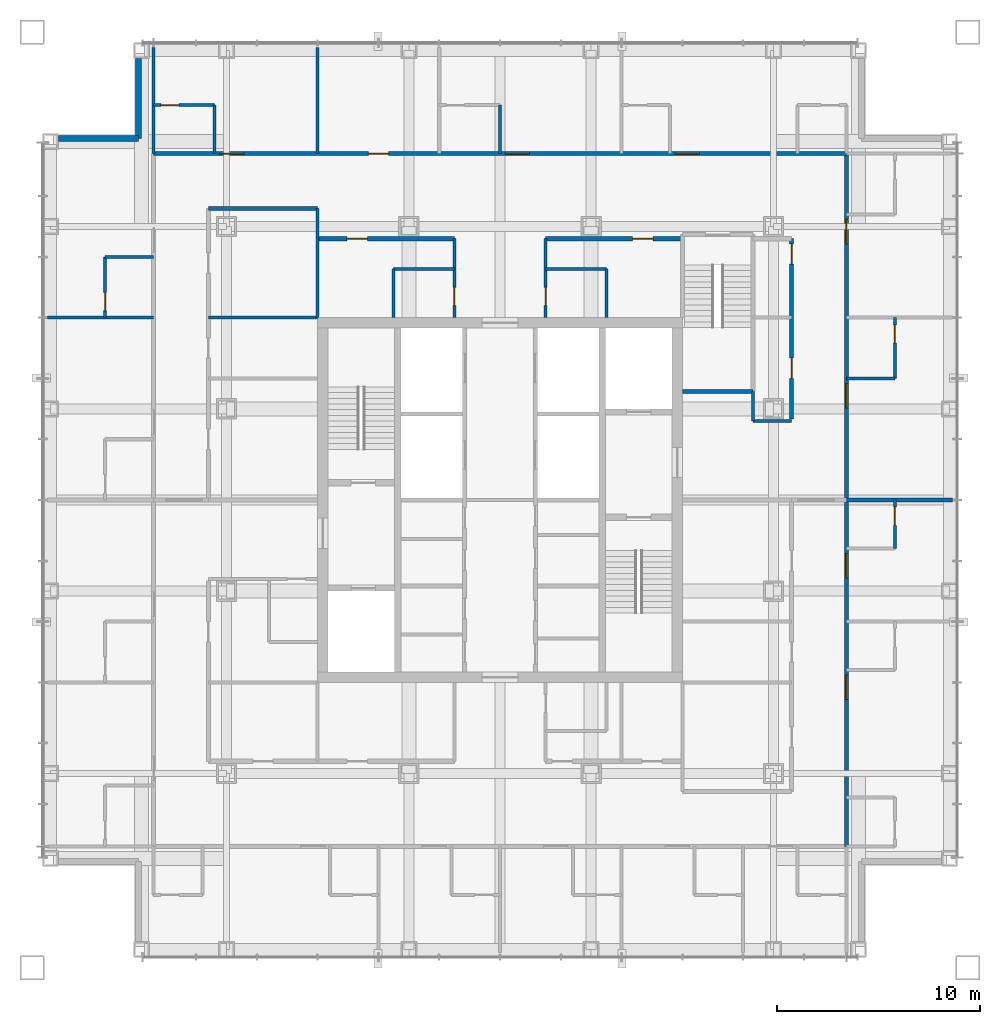
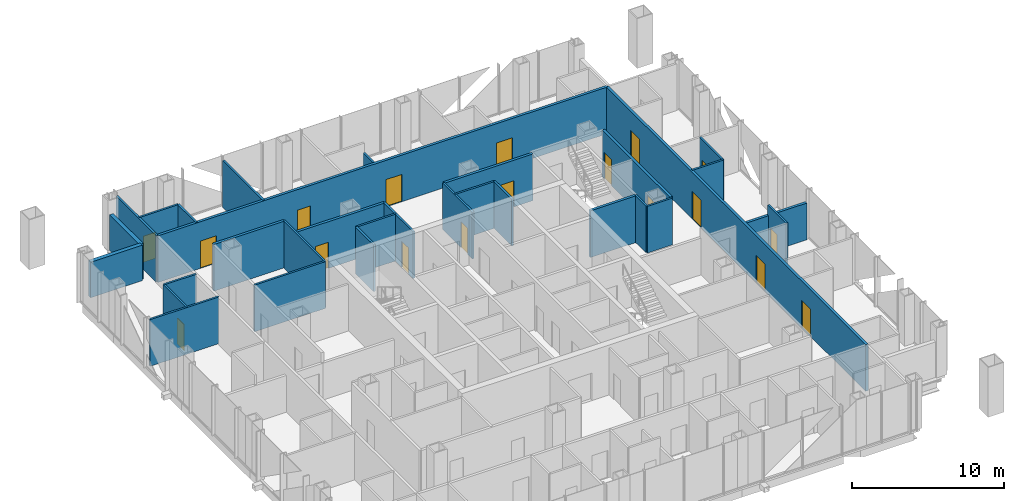
# One storey, part 14 of 16: 31 walls, 18 doors, 18 openings.
"""IFC4 building model written with IfcOpenShell, lengths in metres."""

from ifc_helpers import new_model, si_unit, direction, frame, frame_2d, origin, place, context, subcontext, project, spatial, rectangle, extrude, material, layer, layer_set, type_object, element, fill, save


model = new_model("IFC4")

# Units and contexts
model_context = context("Model", 3, precision=1e-05, world=origin(), true_north=direction((0.0, 1.0)))
body_context = subcontext(model_context, "Body", "Model", "MODEL_VIEW")
ifc_project = project(units=[si_unit("LENGTHUNIT", "METRE"), si_unit("AREAUNIT", "SQUARE_METRE"), si_unit("VOLUMEUNIT", "CUBIC_METRE"), si_unit("PLANEANGLEUNIT", "RADIAN"), si_unit("MASSUNIT", "GRAM", prefix="KILO")], contexts=[model_context])

# Site, building, storey
site_placement = place(None, origin())
site = spatial("IfcSite", under=ifc_project, at=site_placement, CompositionType="ELEMENT")
building_placement = place(site_placement, origin())
building = spatial("IfcBuilding", under=site, at=building_placement, Name="Malebo Sky Hospital", CompositionType="ELEMENT")
storey_placement = place(building_placement, frame((0.0, 0.0, 197.0)))
storey = spatial("IfcBuildingStorey", under=building, at=storey_placement, Name="L47", CompositionType="ELEMENT", Elevation=197.0)

# Wall, openings, doors
ifc_material_1 = material(Name="Gypsum board on steel studs", Category="steel")
ifc_layer_1 = layer(ifc_material_1, 0.199951171875)
ifc_layer_set_1 = layer_set([ifc_layer_1], Name="CORRIDOR WALL 200")
wall_type_1 = type_object("IfcWallType", Name="CORRIDOR WALL 200", PredefinedType="PARTITIONING", material=ifc_layer_set_1)
wall_1_placement = place(storey_placement, frame((42.89990234375, 79.10009765625, 0.0), z_axis=(0.0, 0.0, 1.0), x_axis=(1.0, 0.0, 0.0)))
wall_1 = element("IfcWall", 1, at=wall_1_placement, inside=storey, type_object=wall_type_1, Name="Corridor Wall 200 NCO", PredefinedType="PARTITIONING", context=body_context, shape_type="SweptSolid", body=[
    extrude(rectangle(XDim=34.2001953125, YDim=0.199951171875, at=frame_2d((17.10009765625, 0.0))), origin(), (0.0, 0.0, 1.0), 3.75),
])
opening_1_placement = place(wall_1_placement, frame((3.25, 0.0, 0.0)))
opening_1 = element("IfcOpeningElement", 2, at=opening_1_placement, cuts=wall_1, Name="Opening D01", PredefinedType="OPENING", context=body_context, shape_type="SweptSolid", body=[
    extrude(rectangle(XDim=1.199951171875, YDim=2.199951171875, at=frame_2d((0.60009765625, 1.10009765625))), frame((0.0, 0.10986328125, 0.0), z_axis=(0.0, -1.0, 0.0), x_axis=(1.0, 0.0, 0.0)), (0.0, 0.0, 1.0), 0.219970703125),
])
opening_2_placement = place(wall_1_placement, frame((10.60009765625, 0.0, 0.0)))
opening_2 = element("IfcOpeningElement", 3, at=opening_2_placement, cuts=wall_1, Name="Opening D03", PredefinedType="OPENING", context=body_context, shape_type="SweptSolid", body=[
    extrude(rectangle(XDim=1.0, YDim=2.10009765625, at=frame_2d((0.5, 1.050048828125))), frame((0.0, 0.10986328125, 0.0), z_axis=(0.0, -1.0, 0.0), x_axis=(1.0, 0.0, 0.0)), (0.0, 0.0, 1.0), 0.219970703125),
])
opening_3_placement = place(wall_1_placement, frame((17.35009765625, 0.0, 0.0)))
opening_3 = element("IfcOpeningElement", 4, at=opening_3_placement, cuts=wall_1, Name="Opening D01", PredefinedType="OPENING", context=body_context, shape_type="SweptSolid", body=[
    extrude(rectangle(XDim=1.199951171875, YDim=2.199951171875, at=frame_2d((0.60009765625, 1.10009765625))), frame((0.0, 0.10986328125, 0.0), z_axis=(0.0, -1.0, 0.0), x_axis=(1.0, 0.0, 0.0)), (0.0, 0.0, 1.0), 0.219970703125),
])
opening_4_placement = place(wall_1_placement, frame((25.75, 0.0, 0.0)))
opening_4 = element("IfcOpeningElement", 5, at=opening_4_placement, cuts=wall_1, Name="Opening D01", PredefinedType="OPENING", context=body_context, shape_type="SweptSolid", body=[
    extrude(rectangle(XDim=1.199951171875, YDim=2.199951171875, at=frame_2d((0.60009765625, 1.10009765625))), frame((0.0, 0.10986328125, 0.0), z_axis=(0.0, -1.0, 0.0), x_axis=(1.0, 0.0, 0.0)), (0.0, 0.0, 1.0), 0.219970703125),
])
ifc_material_2 = material(Name="Hardwood-faced door leaf in steel frame", Category="steel")
door_type_1 = type_object("IfcDoorType", Name="BED DOOR 1200", OperationType="SINGLE_SWING_LEFT", PredefinedType="DOOR", material=ifc_material_2)
door_1_placement = place(opening_1_placement, origin())
door_1 = element("IfcDoor", 6, at=door_1_placement, inside=storey, type_object=door_type_1, Name="Two-bed room door", OperationType="SINGLE_SWING_LEFT", OverallHeight=2.199951171875, OverallWidth=1.199951171875, PredefinedType="DOOR", context=body_context, shape_type="SweptSolid", body=[
    extrude(rectangle(XDim=1.199951171875, YDim=2.199951171875, at=frame_2d((0.60009765625, 1.10009765625))), frame((0.0, 0.02490234375, 0.0), z_axis=(0.0, -1.0, 0.0), x_axis=(1.0, 0.0, 0.0)), (0.0, 0.0, 1.0), 0.050048828125),
])
fill(opening_1, door_1)
door_2_placement = place(opening_3_placement, origin())
door_2 = element("IfcDoor", 7, at=door_2_placement, inside=storey, type_object=door_type_1, Name="Two-bed room door", OperationType="SINGLE_SWING_LEFT", OverallHeight=2.199951171875, OverallWidth=1.199951171875, PredefinedType="DOOR", context=body_context, shape_type="SweptSolid", body=[
    extrude(rectangle(XDim=1.199951171875, YDim=2.199951171875, at=frame_2d((0.60009765625, 1.10009765625))), frame((0.0, 0.02490234375, 0.0), z_axis=(0.0, -1.0, 0.0), x_axis=(1.0, 0.0, 0.0)), (0.0, 0.0, 1.0), 0.050048828125),
])
fill(opening_3, door_2)
door_3_placement = place(opening_4_placement, origin())
door_3 = element("IfcDoor", 8, at=door_3_placement, inside=storey, type_object=door_type_1, Name="Four-bed bay door", OperationType="SINGLE_SWING_LEFT", OverallHeight=2.199951171875, OverallWidth=1.199951171875, PredefinedType="DOOR", context=body_context, shape_type="SweptSolid", body=[
    extrude(rectangle(XDim=1.199951171875, YDim=2.199951171875, at=frame_2d((0.60009765625, 1.10009765625))), frame((0.0, 0.02490234375, 0.0), z_axis=(0.0, -1.0, 0.0), x_axis=(1.0, 0.0, 0.0)), (0.0, 0.0, 1.0), 0.050048828125),
])
fill(opening_4, door_3)
door_type_2 = type_object("IfcDoorType", Name="ROOM DOOR 1000", OperationType="SINGLE_SWING_LEFT", PredefinedType="DOOR", material=ifc_material_2)
door_4_placement = place(opening_2_placement, origin())
door_4 = element("IfcDoor", 9, at=door_4_placement, inside=storey, type_object=door_type_2, Name="Infant feeding room door", OperationType="SINGLE_SWING_LEFT", OverallHeight=2.10009765625, OverallWidth=1.0, PredefinedType="DOOR", context=body_context, shape_type="SweptSolid", body=[
    extrude(rectangle(XDim=1.0, YDim=2.10009765625, at=frame_2d((0.5, 1.050048828125))), frame((0.0, 0.02490234375, 0.0), z_axis=(0.0, -1.0, 0.0), x_axis=(1.0, 0.0, 0.0)), (0.0, 0.0, 1.0), 0.050048828125),
])
fill(opening_2, door_4)

# Wall
wall_2_placement = place(storey_placement, frame((45.60009765625, 76.39990234375, 0.0), z_axis=(0.0, 0.0, 1.0), x_axis=(1.0, 0.0, 0.0)))
element("IfcWall", 10, at=wall_2_placement, inside=storey, type_object=wall_type_1, Name="Corridor Wall 200 NCIK", PredefinedType="PARTITIONING", context=body_context, shape_type="SweptSolid", body=[
    extrude(rectangle(XDim=5.39990234375, YDim=0.199951171875, at=frame_2d((2.699951171875, 0.0))), origin(), (0.0, 0.0, 1.0), 3.75),
])

# Wall, opening, door
wall_3_placement = place(storey_placement, frame((51.0, 74.89990234375, 0.0), z_axis=(0.0, 0.0, 1.0), x_axis=(1.0, 0.0, 0.0)))
wall_3 = element("IfcWall", 11, at=wall_3_placement, inside=storey, type_object=wall_type_1, Name="Corridor Wall 200 NCI1", PredefinedType="PARTITIONING", context=body_context, shape_type="SweptSolid", body=[
    extrude(rectangle(XDim=6.75, YDim=0.199951171875, at=frame_2d((3.375, 0.0))), origin(), (0.0, 0.0, 1.0), 3.75),
])
opening_5_placement = place(wall_3_placement, frame((1.449951171875, 0.0, 0.0)))
opening_5 = element("IfcOpeningElement", 12, at=opening_5_placement, cuts=wall_3, Name="Opening D03", PredefinedType="OPENING", context=body_context, shape_type="SweptSolid", body=[
    extrude(rectangle(XDim=1.0, YDim=2.10009765625, at=frame_2d((0.5, 1.050048828125))), frame((0.0, 0.10986328125, 0.0), z_axis=(0.0, -1.0, 0.0), x_axis=(1.0, 0.0, 0.0)), (0.0, 0.0, 1.0), 0.219970703125),
])
door_5_placement = place(opening_5_placement, origin())
door_5 = element("IfcDoor", 13, at=door_5_placement, inside=storey, type_object=door_type_2, Name="Postnatal examination room door", OperationType="SINGLE_SWING_LEFT", OverallHeight=2.10009765625, OverallWidth=1.0, PredefinedType="DOOR", context=body_context, shape_type="SweptSolid", body=[
    extrude(rectangle(XDim=1.0, YDim=2.10009765625, at=frame_2d((0.5, 1.050048828125))), frame((0.0, 0.02490234375, 0.0), z_axis=(0.0, -1.0, 0.0), x_axis=(1.0, 0.0, 0.0)), (0.0, 0.0, 1.0), 0.050048828125),
])
fill(opening_5, door_5)

wall_4_placement = place(storey_placement, frame((62.25, 74.89990234375, 0.0), z_axis=(0.0, 0.0, 1.0), x_axis=(1.0, 0.0, 0.0)))
wall_4 = element("IfcWall", 14, at=wall_4_placement, inside=storey, type_object=wall_type_1, Name="Corridor Wall 200 NCI2", PredefinedType="PARTITIONING", context=body_context, shape_type="SweptSolid", body=[
    extrude(rectangle(XDim=6.75, YDim=0.199951171875, at=frame_2d((3.375, 0.0))), origin(), (0.0, 0.0, 1.0), 3.75),
])
opening_6_placement = place(wall_4_placement, frame((4.300048828125, 0.0, 0.0)))
opening_6 = element("IfcOpeningElement", 15, at=opening_6_placement, cuts=wall_4, Name="Opening D03", PredefinedType="OPENING", context=body_context, shape_type="SweptSolid", body=[
    extrude(rectangle(XDim=1.0, YDim=2.10009765625, at=frame_2d((0.5, 1.050048828125))), frame((0.0, 0.10986328125, 0.0), z_axis=(0.0, -1.0, 0.0), x_axis=(1.0, 0.0, 0.0)), (0.0, 0.0, 1.0), 0.219970703125),
])
door_6_placement = place(opening_6_placement, origin())
door_6 = element("IfcDoor", 16, at=door_6_placement, inside=storey, type_object=door_type_2, Name="Milk kitchen door", OperationType="SINGLE_SWING_RIGHT", OverallHeight=2.10009765625, OverallWidth=1.0, PredefinedType="DOOR", context=body_context, shape_type="SweptSolid", body=[
    extrude(rectangle(XDim=1.0, YDim=2.10009765625, at=frame_2d((0.5, 1.050048828125))), frame((0.0, 0.02490234375, 0.0), z_axis=(0.0, -1.0, 0.0), x_axis=(1.0, 0.0, 0.0)), (0.0, 0.0, 1.0), 0.050048828125),
])
fill(opening_6, door_6)

# Wall, openings, doors
wall_5_placement = place(storey_placement, frame((77.10009765625, 79.10009765625, 0.0), z_axis=(0.0, 0.0, 1.0), x_axis=(0.0, -1.0, 0.0)))
wall_5 = element("IfcWall", 17, at=wall_5_placement, inside=storey, type_object=wall_type_1, Name="Corridor Wall 200 ECO", PredefinedType="PARTITIONING", context=body_context, shape_type="SweptSolid", body=[
    extrude(rectangle(XDim=34.2001953125, YDim=0.199951171875, at=frame_2d((17.10009765625, 0.0))), origin(), (0.0, 0.0, 1.0), 3.75),
])
opening_7_placement = place(wall_5_placement, frame((3.25, 0.0, 0.0)))
opening_7 = element("IfcOpeningElement", 18, at=opening_7_placement, cuts=wall_5, Name="Opening D01", PredefinedType="OPENING", context=body_context, shape_type="SweptSolid", body=[
    extrude(rectangle(XDim=1.199951171875, YDim=2.199951171875, at=frame_2d((0.60009765625, 1.10009765625))), frame((0.0, 0.10986328125, 0.0), z_axis=(0.0, -1.0, 0.0), x_axis=(1.0, 0.0, 0.0)), (0.0, 0.0, 1.0), 0.219970703125),
])
opening_8_placement = place(wall_5_placement, frame((11.35009765625, 0.0, 0.0)))
opening_8 = element("IfcOpeningElement", 19, at=opening_8_placement, cuts=wall_5, Name="Opening D01", PredefinedType="OPENING", context=body_context, shape_type="SweptSolid", body=[
    extrude(rectangle(XDim=1.199951171875, YDim=2.199951171875, at=frame_2d((0.60009765625, 1.10009765625))), frame((0.0, 0.10986328125, 0.0), z_axis=(0.0, -1.0, 0.0), x_axis=(1.0, 0.0, 0.0)), (0.0, 0.0, 1.0), 0.219970703125),
])
opening_9_placement = place(wall_5_placement, frame((19.75, 0.0, 0.0)))
opening_9 = element("IfcOpeningElement", 20, at=opening_9_placement, cuts=wall_5, Name="Opening D01", PredefinedType="OPENING", context=body_context, shape_type="SweptSolid", body=[
    extrude(rectangle(XDim=1.199951171875, YDim=2.199951171875, at=frame_2d((0.60009765625, 1.10009765625))), frame((0.0, 0.10986328125, 0.0), z_axis=(0.0, -1.0, 0.0), x_axis=(1.0, 0.0, 0.0)), (0.0, 0.0, 1.0), 0.219970703125),
])
opening_10_placement = place(wall_5_placement, frame((25.75, 0.0, 0.0)))
opening_10 = element("IfcOpeningElement", 21, at=opening_10_placement, cuts=wall_5, Name="Opening D01", PredefinedType="OPENING", context=body_context, shape_type="SweptSolid", body=[
    extrude(rectangle(XDim=1.199951171875, YDim=2.199951171875, at=frame_2d((0.60009765625, 1.10009765625))), frame((0.0, 0.10986328125, 0.0), z_axis=(0.0, -1.0, 0.0), x_axis=(1.0, 0.0, 0.0)), (0.0, 0.0, 1.0), 0.219970703125),
])
door_7_placement = place(opening_7_placement, origin())
door_7 = element("IfcDoor", 22, at=door_7_placement, inside=storey, type_object=door_type_1, Name="Two-bed room door", OperationType="SINGLE_SWING_LEFT", OverallHeight=2.199951171875, OverallWidth=1.199951171875, PredefinedType="DOOR", context=body_context, shape_type="SweptSolid", body=[
    extrude(rectangle(XDim=1.199951171875, YDim=2.199951171875, at=frame_2d((0.60009765625, 1.10009765625))), frame((0.0, 0.02490234375, 0.0), z_axis=(0.0, -1.0, 0.0), x_axis=(1.0, 0.0, 0.0)), (0.0, 0.0, 1.0), 0.050048828125),
])
fill(opening_7, door_7)
door_8_placement = place(opening_8_placement, origin())
door_8 = element("IfcDoor", 23, at=door_8_placement, inside=storey, type_object=door_type_1, Name="Two-bed room door", OperationType="SINGLE_SWING_LEFT", OverallHeight=2.199951171875, OverallWidth=1.199951171875, PredefinedType="DOOR", context=body_context, shape_type="SweptSolid", body=[
    extrude(rectangle(XDim=1.199951171875, YDim=2.199951171875, at=frame_2d((0.60009765625, 1.10009765625))), frame((0.0, 0.02490234375, 0.0), z_axis=(0.0, -1.0, 0.0), x_axis=(1.0, 0.0, 0.0)), (0.0, 0.0, 1.0), 0.050048828125),
])
fill(opening_8, door_8)
door_9_placement = place(opening_9_placement, origin())
door_9 = element("IfcDoor", 24, at=door_9_placement, inside=storey, type_object=door_type_1, Name="Single bed room door", OperationType="SINGLE_SWING_LEFT", OverallHeight=2.199951171875, OverallWidth=1.199951171875, PredefinedType="DOOR", context=body_context, shape_type="SweptSolid", body=[
    extrude(rectangle(XDim=1.199951171875, YDim=2.199951171875, at=frame_2d((0.60009765625, 1.10009765625))), frame((0.0, 0.02490234375, 0.0), z_axis=(0.0, -1.0, 0.0), x_axis=(1.0, 0.0, 0.0)), (0.0, 0.0, 1.0), 0.050048828125),
])
fill(opening_9, door_9)
door_10_placement = place(opening_10_placement, origin())
door_10 = element("IfcDoor", 25, at=door_10_placement, inside=storey, type_object=door_type_1, Name="Four-bed bay door", OperationType="SINGLE_SWING_LEFT", OverallHeight=2.199951171875, OverallWidth=1.199951171875, PredefinedType="DOOR", context=body_context, shape_type="SweptSolid", body=[
    extrude(rectangle(XDim=1.199951171875, YDim=2.199951171875, at=frame_2d((0.60009765625, 1.10009765625))), frame((0.0, 0.02490234375, 0.0), z_axis=(0.0, -1.0, 0.0), x_axis=(1.0, 0.0, 0.0)), (0.0, 0.0, 1.0), 0.050048828125),
])
fill(opening_10, door_10)

wall_6_placement = place(storey_placement, frame((74.39990234375, 74.89990234375, 0.0), z_axis=(0.0, 0.0, 1.0), x_axis=(0.0, -1.0, 0.0)))
wall_6 = element("IfcWall", 26, at=wall_6_placement, inside=storey, type_object=wall_type_1, Name="Corridor Wall 200 ECI1", PredefinedType="PARTITIONING", context=body_context, shape_type="SweptSolid", body=[
    extrude(rectangle(XDim=8.89990234375, YDim=0.199951171875, at=frame_2d((4.449951171875, 0.0))), origin(), (0.0, 0.0, 1.0), 3.75),
])
opening_11_placement = place(wall_6_placement, frame((0.25, 0.0, 0.0)))
opening_11 = element("IfcOpeningElement", 27, at=opening_11_placement, cuts=wall_6, Name="Opening D03", PredefinedType="OPENING", context=body_context, shape_type="SweptSolid", body=[
    extrude(rectangle(XDim=1.0, YDim=2.10009765625, at=frame_2d((0.5, 1.050048828125))), frame((0.0, 0.10986328125, 0.0), z_axis=(0.0, -1.0, 0.0), x_axis=(1.0, 0.0, 0.0)), (0.0, 0.0, 1.0), 0.219970703125),
])
opening_12_placement = place(wall_6_placement, frame((5.89990234375, 0.0, 0.0)))
opening_12 = element("IfcOpeningElement", 28, at=opening_12_placement, cuts=wall_6, Name="Opening D03", PredefinedType="OPENING", context=body_context, shape_type="SweptSolid", body=[
    extrude(rectangle(XDim=1.0, YDim=2.10009765625, at=frame_2d((0.5, 1.050048828125))), frame((0.0, 0.10986328125, 0.0), z_axis=(0.0, -1.0, 0.0), x_axis=(1.0, 0.0, 0.0)), (0.0, 0.0, 1.0), 0.219970703125),
])
door_11_placement = place(opening_11_placement, origin())
door_11 = element("IfcDoor", 29, at=door_11_placement, inside=storey, type_object=door_type_2, Name="Consulting room door", OperationType="SINGLE_SWING_LEFT", OverallHeight=2.10009765625, OverallWidth=1.0, PredefinedType="DOOR", context=body_context, shape_type="SweptSolid", body=[
    extrude(rectangle(XDim=1.0, YDim=2.10009765625, at=frame_2d((0.5, 1.050048828125))), frame((0.0, 0.02490234375, 0.0), z_axis=(0.0, -1.0, 0.0), x_axis=(1.0, 0.0, 0.0)), (0.0, 0.0, 1.0), 0.050048828125),
])
fill(opening_11, door_11)
door_12_placement = place(opening_12_placement, origin())
door_12 = element("IfcDoor", 30, at=door_12_placement, inside=storey, type_object=door_type_2, Name="Clean utility room door", OperationType="SINGLE_SWING_LEFT", OverallHeight=2.10009765625, OverallWidth=1.0, PredefinedType="DOOR", context=body_context, shape_type="SweptSolid", body=[
    extrude(rectangle(XDim=1.0, YDim=2.10009765625, at=frame_2d((0.5, 1.050048828125))), frame((0.0, 0.02490234375, 0.0), z_axis=(0.0, -1.0, 0.0), x_axis=(1.0, 0.0, 0.0)), (0.0, 0.0, 1.0), 0.050048828125),
])
fill(opening_12, door_12)

# Walls
ifc_material_3 = material(Name="Anodised aluminium rainscreen on steel framing", Category="steel")
ifc_layer_2 = layer(ifc_material_3, 0.300048828125)
ifc_layer_set_2 = layer_set([ifc_layer_2], Name="NOTCH RAINSCREEN WALL 300")
wall_type_2 = type_object("IfcWallType", Name="NOTCH RAINSCREEN WALL 300", PredefinedType="ELEMENTEDWALL", material=ifc_layer_set_2)
for number, where, z_axis, x_axis, name in (
    (31, (38.199951171875, 79.85009765625, 0.0), (0.0, 0.0, 1.0), (1.0, 0.0, 0.0), "Notch rainscreen wall W1 L47"),
    (32, (42.14990234375, 79.85009765625, 0.0), (0.0, 0.0, 1.0), (0.0, 1.0, 0.0), "Notch rainscreen wall W2 L47"),
):
    element("IfcWall", number, at=place(storey_placement, frame(where, z_axis=z_axis, x_axis=x_axis)), inside=storey, type_object=wall_type_2, Name=name, PredefinedType="ELEMENTEDWALL", context=body_context, shape_type="SweptSolid", body=[
        extrude(rectangle(XDim=3.949951171875, YDim=0.300048828125, at=frame_2d((1.97509765625, 0.0))), origin(), (0.0, 0.0, 1.0), 2.85009765625),
    ])
ifc_layer_3 = layer(ifc_material_1, 0.14990234375)
ifc_layer_set_3 = layer_set([ifc_layer_3], Name="PARTITION 150")
wall_type_3 = type_object("IfcWallType", Name="PARTITION 150", PredefinedType="PARTITIONING", material=ifc_layer_set_3)
for number, where, z_axis, x_axis, name in (
    (33, (51.0, 79.10009765625, 0.0), (0.0, 0.0, 1.0), (0.0, 1.0, 0.0), "Partition 150 NP-9.0"),
    (34, (42.89990234375, 79.10009765625, 0.0), (0.0, 0.0, 1.0), (0.0, 1.0, 0.0), "Partition 150 NP0"),
):
    element("IfcWall", number, at=place(storey_placement, frame(where, z_axis=z_axis, x_axis=x_axis)), inside=storey, type_object=wall_type_3, Name=name, PredefinedType="PARTITIONING", context=body_context, shape_type="SweptSolid", body=[
        extrude(rectangle(XDim=5.25, YDim=0.14990234375, at=frame_2d((2.625, 0.0))), origin(), (0.0, 0.0, 1.0), 3.75),
    ])

# Wall, opening, door
wall_7_placement = place(storey_placement, frame((42.89990234375, 81.5, 0.0), z_axis=(0.0, 0.0, 1.0), x_axis=(1.0, 0.0, 0.0)))
wall_7 = element("IfcWall", 35, at=wall_7_placement, inside=storey, type_object=wall_type_3, Name="Partition 150 NE0F", PredefinedType="PARTITIONING", context=body_context, shape_type="SweptSolid", body=[
    extrude(rectangle(XDim=3.0, YDim=0.14990234375, at=frame_2d((1.5, 0.0))), origin(), (0.0, 0.0, 1.0), 3.75),
])
opening_13_placement = place(wall_7_placement, frame((0.35009765625, 0.0, 0.0)))
opening_13 = element("IfcOpeningElement", 36, at=opening_13_placement, cuts=wall_7, Name="Opening D02", PredefinedType="OPENING", context=body_context, shape_type="SweptSolid", body=[
    extrude(rectangle(XDim=0.89990234375, YDim=2.10009765625, at=frame_2d((0.449951171875, 1.050048828125))), frame((0.0, 0.0849609375, 0.0), z_axis=(0.0, -1.0, 0.0), x_axis=(1.0, 0.0, 0.0)), (0.0, 0.0, 1.0), 0.169921875),
])
door_type_3 = type_object("IfcDoorType", Name="EN-SUITE DOOR 900", OperationType="SINGLE_SWING_LEFT", PredefinedType="DOOR", material=ifc_material_2)
door_13_placement = place(opening_13_placement, origin())
door_13 = element("IfcDoor", 37, at=door_13_placement, inside=storey, type_object=door_type_3, Name="En-suite door", OperationType="SINGLE_SWING_LEFT", OverallHeight=2.10009765625, OverallWidth=0.89990234375, PredefinedType="DOOR", context=body_context, shape_type="SweptSolid", body=[
    extrude(rectangle(XDim=0.89990234375, YDim=2.10009765625, at=frame_2d((0.449951171875, 1.050048828125))), frame((0.0, 0.02490234375, 0.0), z_axis=(0.0, -1.0, 0.0), x_axis=(1.0, 0.0, 0.0)), (0.0, 0.0, 1.0), 0.050048828125),
])
fill(opening_13, door_13)

# Walls
wall_8_placement = place(storey_placement, frame((45.89990234375, 79.10009765625, 0.0), z_axis=(0.0, 0.0, 1.0), x_axis=(0.0, 1.0, 0.0)))
element("IfcWall", 38, at=wall_8_placement, inside=storey, type_object=wall_type_3, Name="Partition 150 NE0S", PredefinedType="PARTITIONING", context=body_context, shape_type="SweptSolid", body=[
    extrude(rectangle(XDim=2.39990234375, YDim=0.14990234375, at=frame_2d((1.199951171875, 0.0))), origin(), (0.0, 0.0, 1.0), 3.75),
])
wall_9_placement = place(storey_placement, frame((60.0, 79.10009765625, 0.0), z_axis=(0.0, 0.0, 1.0), x_axis=(0.0, 1.0, 0.0)))
element("IfcWall", 39, at=wall_9_placement, inside=storey, type_object=wall_type_3, Name="Partition 150 NE2S", PredefinedType="PARTITIONING", context=body_context, shape_type="SweptSolid", body=[
    extrude(rectangle(XDim=2.39990234375, YDim=0.14990234375, at=frame_2d((1.199951171875, 0.0))), origin(), (0.0, 0.0, 1.0), 2.949951171875),
])
wall_10_placement = place(storey_placement, frame((51.0, 71.0, 0.0), z_axis=(0.0, 0.0, 1.0), x_axis=(0.0, 1.0, 0.0)))
element("IfcWall", 40, at=wall_10_placement, inside=storey, type_object=wall_type_3, Name="Partition 150 NSP0", PredefinedType="PARTITIONING", context=body_context, shape_type="SweptSolid", body=[
    extrude(rectangle(XDim=5.39990234375, YDim=0.14990234375, at=frame_2d((2.699951171875, 0.0))), origin(), (0.0, 0.0, 1.0), 3.75),
])

# Wall, opening, door
wall_11_placement = place(storey_placement, frame((57.75, 71.0, 0.0), z_axis=(0.0, 0.0, 1.0), x_axis=(0.0, 1.0, 0.0)))
wall_11 = element("IfcWall", 41, at=wall_11_placement, inside=storey, type_object=wall_type_3, Name="Partition 150 NSPA", PredefinedType="PARTITIONING", context=body_context, shape_type="SweptSolid", body=[
    extrude(rectangle(XDim=3.89990234375, YDim=0.14990234375, at=frame_2d((1.949951171875, 0.0))), origin(), (0.0, 0.0, 1.0), 3.75),
])
opening_14_placement = place(wall_11_placement, frame((0.60009765625, 0.0, 0.0)))
opening_14 = element("IfcOpeningElement", 42, at=opening_14_placement, cuts=wall_11, Name="Opening D04", PredefinedType="OPENING", context=body_context, shape_type="SweptSolid", body=[
    extrude(rectangle(XDim=0.89990234375, YDim=2.10009765625, at=frame_2d((0.449951171875, 1.050048828125))), frame((0.0, 0.0849609375, 0.0), z_axis=(0.0, -1.0, 0.0), x_axis=(1.0, 0.0, 0.0)), (0.0, 0.0, 1.0), 0.169921875),
])
door_type_4 = type_object("IfcDoorType", Name="ROOM DOOR 900", OperationType="SINGLE_SWING_LEFT", PredefinedType="DOOR", material=ifc_material_2)
door_14_placement = place(opening_14_placement, origin())
door_14 = element("IfcDoor", 43, at=door_14_placement, inside=storey, type_object=door_type_4, Name="Staff WC door", OperationType="SINGLE_SWING_LEFT", OverallHeight=2.10009765625, OverallWidth=0.89990234375, PredefinedType="DOOR", context=body_context, shape_type="SweptSolid", body=[
    extrude(rectangle(XDim=0.89990234375, YDim=2.10009765625, at=frame_2d((0.449951171875, 1.050048828125))), frame((0.0, 0.02490234375, 0.0), z_axis=(0.0, -1.0, 0.0), x_axis=(1.0, 0.0, 0.0)), (0.0, 0.0, 1.0), 0.050048828125),
])
fill(opening_14, door_14)

wall_12_placement = place(storey_placement, frame((62.25, 71.0, 0.0), z_axis=(0.0, 0.0, 1.0), x_axis=(0.0, 1.0, 0.0)))
wall_12 = element("IfcWall", 44, at=wall_12_placement, inside=storey, type_object=wall_type_3, Name="Partition 150 NSPB", PredefinedType="PARTITIONING", context=body_context, shape_type="SweptSolid", body=[
    extrude(rectangle(XDim=3.89990234375, YDim=0.14990234375, at=frame_2d((1.949951171875, 0.0))), origin(), (0.0, 0.0, 1.0), 3.75),
])
opening_15_placement = place(wall_12_placement, frame((0.60009765625, 0.0, 0.0)))
opening_15 = element("IfcOpeningElement", 45, at=opening_15_placement, cuts=wall_12, Name="Opening D04", PredefinedType="OPENING", context=body_context, shape_type="SweptSolid", body=[
    extrude(rectangle(XDim=0.89990234375, YDim=2.10009765625, at=frame_2d((0.449951171875, 1.050048828125))), frame((0.0, 0.0849609375, 0.0), z_axis=(0.0, -1.0, 0.0), x_axis=(1.0, 0.0, 0.0)), (0.0, 0.0, 1.0), 0.169921875),
])
door_15_placement = place(opening_15_placement, origin())
door_15 = element("IfcDoor", 46, at=door_15_placement, inside=storey, type_object=door_type_4, Name="Accessible WC door", OperationType="SINGLE_SWING_LEFT", OverallHeight=2.10009765625, OverallWidth=0.89990234375, PredefinedType="DOOR", context=body_context, shape_type="SweptSolid", body=[
    extrude(rectangle(XDim=0.89990234375, YDim=2.10009765625, at=frame_2d((0.449951171875, 1.050048828125))), frame((0.0, 0.02490234375, 0.0), z_axis=(0.0, -1.0, 0.0), x_axis=(1.0, 0.0, 0.0)), (0.0, 0.0, 1.0), 0.050048828125),
])
fill(opening_15, door_15)

# Walls
wall_13_placement = place(storey_placement, frame((54.75, 73.39990234375, 0.0), z_axis=(0.0, 0.0, 1.0), x_axis=(1.0, 0.0, 0.0)))
element("IfcWall", 47, at=wall_13_placement, inside=storey, type_object=wall_type_3, Name="Partition 150 NSX0", PredefinedType="PARTITIONING", context=body_context, shape_type="SweptSolid", body=[
    extrude(rectangle(XDim=3.0, YDim=0.14990234375, at=frame_2d((1.5, 0.0))), origin(), (0.0, 0.0, 1.0), 3.75),
])
wall_14_placement = place(storey_placement, frame((54.75, 71.0, 0.0), z_axis=(0.0, 0.0, 1.0), x_axis=(0.0, 1.0, 0.0)))
element("IfcWall", 48, at=wall_14_placement, inside=storey, type_object=wall_type_3, Name="Partition 150 NSY0", PredefinedType="PARTITIONING", context=body_context, shape_type="SweptSolid", body=[
    extrude(rectangle(XDim=2.39990234375, YDim=0.14990234375, at=frame_2d((1.199951171875, 0.0))), origin(), (0.0, 0.0, 1.0), 3.75),
])
wall_15_placement = place(storey_placement, frame((62.25, 73.39990234375, 0.0), z_axis=(0.0, 0.0, 1.0), x_axis=(1.0, 0.0, 0.0)))
element("IfcWall", 49, at=wall_15_placement, inside=storey, type_object=wall_type_3, Name="Partition 150 NSX1", PredefinedType="PARTITIONING", context=body_context, shape_type="SweptSolid", body=[
    extrude(rectangle(XDim=3.0, YDim=0.14990234375, at=frame_2d((1.5, 0.0))), origin(), (0.0, 0.0, 1.0), 3.75),
])
wall_16_placement = place(storey_placement, frame((65.25, 71.0, 0.0), z_axis=(0.0, 0.0, 1.0), x_axis=(0.0, 1.0, 0.0)))
element("IfcWall", 50, at=wall_16_placement, inside=storey, type_object=wall_type_3, Name="Partition 150 NSY1", PredefinedType="PARTITIONING", context=body_context, shape_type="SweptSolid", body=[
    extrude(rectangle(XDim=2.39990234375, YDim=0.14990234375, at=frame_2d((1.199951171875, 0.0))), origin(), (0.0, 0.0, 1.0), 3.75),
])
wall_17_placement = place(storey_placement, frame((42.89990234375, 71.0, 0.0), z_axis=(0.0, 0.0, 1.0), x_axis=(-1.0, 0.0, 0.0)))
element("IfcWall", 51, at=wall_17_placement, inside=storey, type_object=wall_type_3, Name="Partition 150 WP+9.0", PredefinedType="PARTITIONING", context=body_context, shape_type="SweptSolid", body=[
    extrude(rectangle(XDim=5.25, YDim=0.14990234375, at=frame_2d((2.625, 0.0))), origin(), (0.0, 0.0, 1.0), 3.75),
])

# Wall, opening, door
wall_18_placement = place(storey_placement, frame((40.5, 71.0, 0.0), z_axis=(0.0, 0.0, 1.0), x_axis=(0.0, 1.0, 0.0)))
wall_18 = element("IfcWall", 52, at=wall_18_placement, inside=storey, type_object=wall_type_3, Name="Partition 150 WE3F", PredefinedType="PARTITIONING", context=body_context, shape_type="SweptSolid", body=[
    extrude(rectangle(XDim=3.0, YDim=0.14990234375, at=frame_2d((1.5, 0.0))), origin(), (0.0, 0.0, 1.0), 3.75),
])
opening_16_placement = place(wall_18_placement, frame((0.35009765625, 0.0, 0.0)))
opening_16 = element("IfcOpeningElement", 53, at=opening_16_placement, cuts=wall_18, Name="Opening D02", PredefinedType="OPENING", context=body_context, shape_type="SweptSolid", body=[
    extrude(rectangle(XDim=0.89990234375, YDim=2.10009765625, at=frame_2d((0.449951171875, 1.050048828125))), frame((0.0, 0.0849609375, 0.0), z_axis=(0.0, -1.0, 0.0), x_axis=(1.0, 0.0, 0.0)), (0.0, 0.0, 1.0), 0.169921875),
])
door_16_placement = place(opening_16_placement, origin())
door_16 = element("IfcDoor", 54, at=door_16_placement, inside=storey, type_object=door_type_3, Name="En-suite door", OperationType="SINGLE_SWING_LEFT", OverallHeight=2.10009765625, OverallWidth=0.89990234375, PredefinedType="DOOR", context=body_context, shape_type="SweptSolid", body=[
    extrude(rectangle(XDim=0.89990234375, YDim=2.10009765625, at=frame_2d((0.449951171875, 1.050048828125))), frame((0.0, 0.02490234375, 0.0), z_axis=(0.0, -1.0, 0.0), x_axis=(1.0, 0.0, 0.0)), (0.0, 0.0, 1.0), 0.050048828125),
])
fill(opening_16, door_16)

# Walls
wall_19_placement = place(storey_placement, frame((42.89990234375, 74.0, 0.0), z_axis=(0.0, 0.0, 1.0), x_axis=(-1.0, 0.0, 0.0)))
element("IfcWall", 55, at=wall_19_placement, inside=storey, type_object=wall_type_3, Name="Partition 150 WE3S", PredefinedType="PARTITIONING", context=body_context, shape_type="SweptSolid", body=[
    extrude(rectangle(XDim=2.39990234375, YDim=0.14990234375, at=frame_2d((1.199951171875, 0.0))), origin(), (0.0, 0.0, 1.0), 3.75),
])
wall_20_placement = place(storey_placement, frame((51.0, 71.0, 0.0), z_axis=(0.0, 0.0, 1.0), x_axis=(-1.0, 0.0, 0.0)))
element("IfcWall", 56, at=wall_20_placement, inside=storey, type_object=wall_type_3, Name="Partition 150 WSP+9.0", PredefinedType="PARTITIONING", context=body_context, shape_type="SweptSolid", body=[
    extrude(rectangle(XDim=5.39990234375, YDim=0.14990234375, at=frame_2d((2.699951171875, 0.0))), origin(), (0.0, 0.0, 1.0), 3.75),
])

# Wall, opening, door
wall_21_placement = place(storey_placement, frame((79.5, 71.0, 0.0), z_axis=(0.0, 0.0, 1.0), x_axis=(0.0, -1.0, 0.0)))
wall_21 = element("IfcWall", 57, at=wall_21_placement, inside=storey, type_object=wall_type_3, Name="Partition 150 EE1F", PredefinedType="PARTITIONING", context=body_context, shape_type="SweptSolid", body=[
    extrude(rectangle(XDim=3.0, YDim=0.14990234375, at=frame_2d((1.5, 0.0))), origin(), (0.0, 0.0, 1.0), 3.75),
])
opening_17_placement = place(wall_21_placement, frame((0.35009765625, 0.0, 0.0)))
opening_17 = element("IfcOpeningElement", 58, at=opening_17_placement, cuts=wall_21, Name="Opening D02", PredefinedType="OPENING", context=body_context, shape_type="SweptSolid", body=[
    extrude(rectangle(XDim=0.89990234375, YDim=2.10009765625, at=frame_2d((0.449951171875, 1.050048828125))), frame((0.0, 0.0849609375, 0.0), z_axis=(0.0, -1.0, 0.0), x_axis=(1.0, 0.0, 0.0)), (0.0, 0.0, 1.0), 0.169921875),
])
door_17_placement = place(opening_17_placement, origin())
door_17 = element("IfcDoor", 59, at=door_17_placement, inside=storey, type_object=door_type_3, Name="En-suite door", OperationType="SINGLE_SWING_LEFT", OverallHeight=2.10009765625, OverallWidth=0.89990234375, PredefinedType="DOOR", context=body_context, shape_type="SweptSolid", body=[
    extrude(rectangle(XDim=0.89990234375, YDim=2.10009765625, at=frame_2d((0.449951171875, 1.050048828125))), frame((0.0, 0.02490234375, 0.0), z_axis=(0.0, -1.0, 0.0), x_axis=(1.0, 0.0, 0.0)), (0.0, 0.0, 1.0), 0.050048828125),
])
fill(opening_17, door_17)

# Wall
wall_22_placement = place(storey_placement, frame((77.10009765625, 68.0, 0.0), z_axis=(0.0, 0.0, 1.0), x_axis=(1.0, 0.0, 0.0)))
element("IfcWall", 60, at=wall_22_placement, inside=storey, type_object=wall_type_3, Name="Partition 150 EE1S", PredefinedType="PARTITIONING", context=body_context, shape_type="SweptSolid", body=[
    extrude(rectangle(XDim=2.39990234375, YDim=0.14990234375, at=frame_2d((1.199951171875, 0.0))), origin(), (0.0, 0.0, 1.0), 3.75),
])

# Wall, opening, door
wall_23_placement = place(storey_placement, frame((79.5, 62.0, 0.0), z_axis=(0.0, 0.0, 1.0), x_axis=(0.0, -1.0, 0.0)))
wall_23 = element("IfcWall", 61, at=wall_23_placement, inside=storey, type_object=wall_type_3, Name="Partition 150 EE2F", PredefinedType="PARTITIONING", context=body_context, shape_type="SweptSolid", body=[
    extrude(rectangle(XDim=2.39990234375, YDim=0.14990234375, at=frame_2d((1.199951171875, 0.0))), origin(), (0.0, 0.0, 1.0), 3.75),
])
opening_18_placement = place(wall_23_placement, frame((0.35009765625, 0.0, 0.0)))
opening_18 = element("IfcOpeningElement", 62, at=opening_18_placement, cuts=wall_23, Name="Opening D02", PredefinedType="OPENING", context=body_context, shape_type="SweptSolid", body=[
    extrude(rectangle(XDim=0.89990234375, YDim=2.10009765625, at=frame_2d((0.449951171875, 1.050048828125))), frame((0.0, 0.0849609375, 0.0), z_axis=(0.0, -1.0, 0.0), x_axis=(1.0, 0.0, 0.0)), (0.0, 0.0, 1.0), 0.169921875),
])
door_18_placement = place(opening_18_placement, origin())
door_18 = element("IfcDoor", 63, at=door_18_placement, inside=storey, type_object=door_type_3, Name="En-suite door", OperationType="SINGLE_SWING_LEFT", OverallHeight=2.10009765625, OverallWidth=0.89990234375, PredefinedType="DOOR", context=body_context, shape_type="SweptSolid", body=[
    extrude(rectangle(XDim=0.89990234375, YDim=2.10009765625, at=frame_2d((0.449951171875, 1.050048828125))), frame((0.0, 0.02490234375, 0.0), z_axis=(0.0, -1.0, 0.0), x_axis=(1.0, 0.0, 0.0)), (0.0, 0.0, 1.0), 0.050048828125),
])
fill(opening_18, door_18)

# Walls
wall_24_placement = place(storey_placement, frame((72.5, 65.89990234375, 0.0), z_axis=(0.0, 0.0, 1.0), x_axis=(1.0, 0.0, 0.0)))
element("IfcWall", 64, at=wall_24_placement, inside=storey, type_object=wall_type_3, Name="Partition 150 ESPA", PredefinedType="PARTITIONING", context=body_context, shape_type="SweptSolid", body=[
    extrude(rectangle(XDim=1.89990234375, YDim=0.14990234375, at=frame_2d((0.949951171875, 0.0))), origin(), (0.0, 0.0, 1.0), 3.75),
])
wall_25_placement = place(storey_placement, frame((72.5, 65.89990234375, 0.0), z_axis=(0.0, 0.0, 1.0), x_axis=(0.0, 1.0, 0.0)))
element("IfcWall", 65, at=wall_25_placement, inside=storey, type_object=wall_type_3, Name="Partition 150 ST3C", PredefinedType="PARTITIONING", context=body_context, shape_type="SweptSolid", body=[
    extrude(rectangle(XDim=1.4501953125, YDim=0.14990234375, at=frame_2d((0.72509765625, 0.0))), origin(), (0.0, 0.0, 1.0), 3.75),
])
ifc_material_4 = material(Name="Concrete blockwork", Category="masonry")
ifc_layer_4 = layer(ifc_material_4, 0.199951171875)
ifc_layer_set_4 = layer_set([ifc_layer_4], Name="SMOKE BARRIER WALL 200")
wall_type_4 = type_object("IfcWallType", Name="SMOKE BARRIER WALL 200", PredefinedType="SOLIDWALL", material=ifc_layer_set_4)
wall_26_placement = place(storey_placement, frame((77.10009765625, 62.0, 0.0), z_axis=(0.0, 0.0, 1.0), x_axis=(1.0, 0.0, 0.0)))
element("IfcWall", 66, at=wall_26_placement, inside=storey, type_object=wall_type_4, Name="Smoke Barrier Wall 200 EP+0.0", PredefinedType="SOLIDWALL", context=body_context, shape_type="SweptSolid", body=[
    extrude(rectangle(XDim=5.25, YDim=0.199951171875, at=frame_2d((2.625, 0.0))), origin(), (0.0, 0.0, 1.0), 2.949951171875),
])
ifc_material_5 = material(Name="Concrete C40/50", Category="concrete")
ifc_layer_5 = layer(ifc_material_5, 0.199951171875)
ifc_layer_set_5 = layer_set([ifc_layer_5], Name="STAIR ENCLOSURE WALL 200")
wall_type_5 = type_object("IfcWallType", Name="STAIR ENCLOSURE WALL 200", PredefinedType="SOLIDWALL", material=ifc_layer_set_5)
wall_27_placement = place(storey_placement, frame((69.0, 67.35009765625, 0.0), z_axis=(0.0, 0.0, 1.0), x_axis=(1.0, 0.0, 0.0)))
element("IfcWall", 67, at=wall_27_placement, inside=storey, type_object=wall_type_5, Name="Stair Enclosure Wall 200 ST3S", PredefinedType="SOLIDWALL", context=body_context, shape_type="SweptSolid", body=[
    extrude(rectangle(XDim=3.5, YDim=0.199951171875, at=frame_2d((1.75, 0.0))), origin(), (0.0, 0.0, 1.0), 3.75),
])

save(model, "model.ifc")
